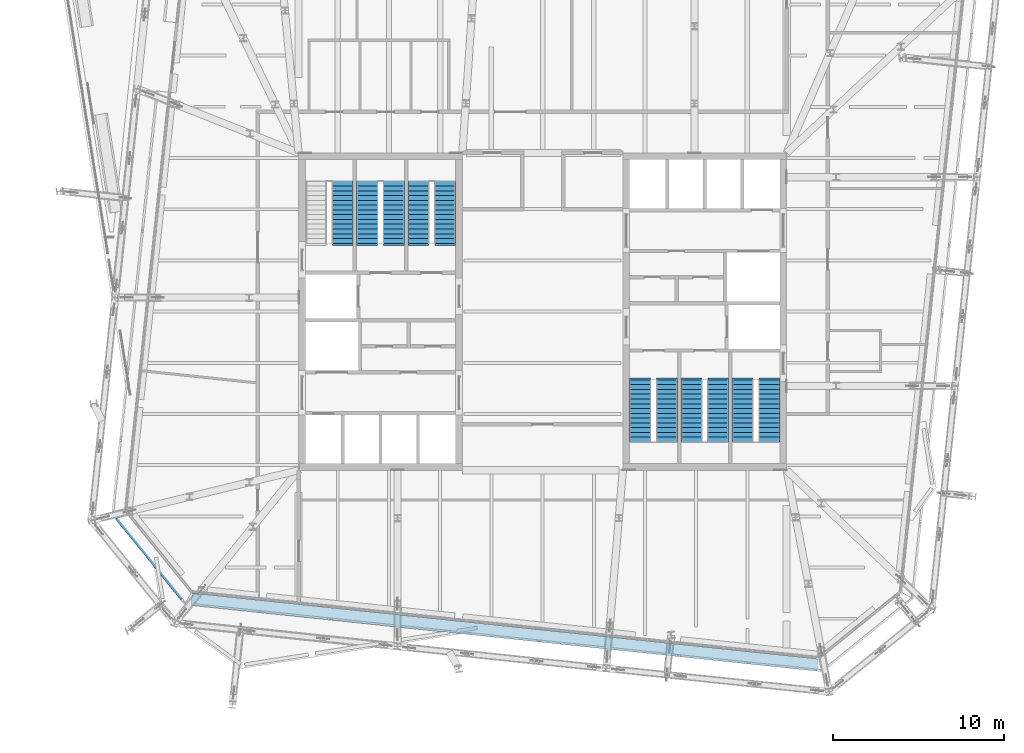
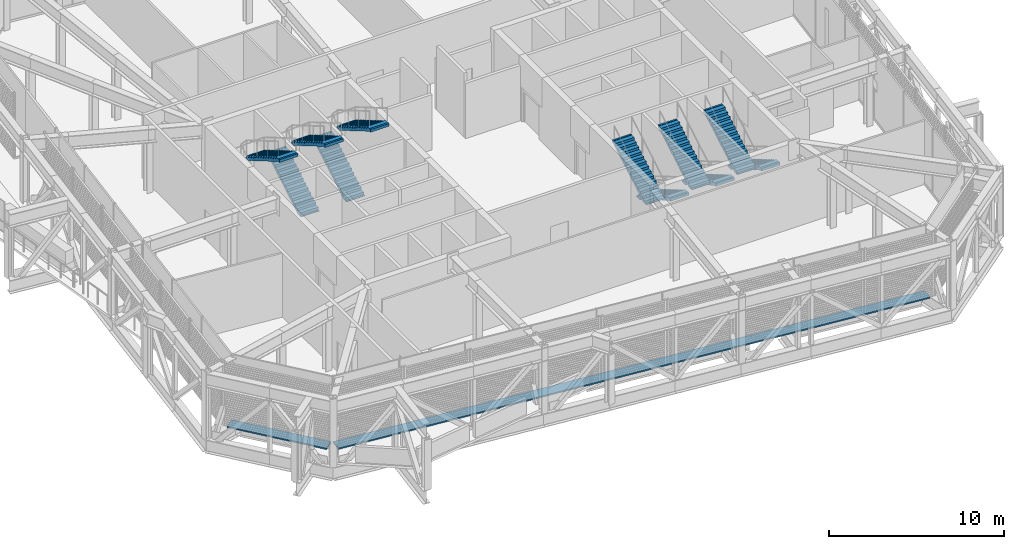
# One storey, part 24 of 36: 11 stair flights, 2 discrete accessories, 6 elements without a shape of their own.
"""IFC4 building model written with IfcOpenShell, lengths in metres."""

from ifc_helpers import new_model, si_unit, direction, frame, origin, origin_2d, place, context, subcontext, project, spatial, polyline, rectangle, outline, extrude, material, type_object, element, aggregate, save


model = new_model("IFC4")

# Units and contexts
model_context = context("Model", 3, precision=1e-05, world=origin(), true_north=direction((0.0, 1.0)))
body_context = subcontext(model_context, "Body", "Model", "MODEL_VIEW")
ifc_project = project(units=[si_unit("LENGTHUNIT", "METRE"), si_unit("AREAUNIT", "SQUARE_METRE"), si_unit("VOLUMEUNIT", "CUBIC_METRE"), si_unit("PLANEANGLEUNIT", "RADIAN"), si_unit("MASSUNIT", "GRAM", prefix="KILO")], contexts=[model_context])

# Site, building, storey
site_placement = place(None, origin())
site = spatial("IfcSite", under=ifc_project, at=site_placement, CompositionType="ELEMENT")
building_placement = place(site_placement, origin())
building = spatial("IfcBuilding", under=site, at=building_placement, Name="Millrace Tower", CompositionType="ELEMENT")
storey_placement = place(building_placement, frame((0.0, 0.0, 271.39990234375)))
storey = spatial("IfcBuildingStorey", under=building, at=storey_placement, Name="L62", CompositionType="ELEMENT", Elevation=271.39990234375)

# Stair, stair flight
ifc_material_1 = material(Name="Concrete C35", Category="concrete")
stair_type = type_object("IfcStairType", Name="Exit stair", PredefinedType="HALF_TURN_STAIR", material=ifc_material_1)
placement = place(storey_placement, origin())
stair_1 = element("IfcStair", 1, at=placement, inside=storey, type_object=stair_type, Name="Stair 1 W L62", PredefinedType="HALF_TURN_STAIR")
ifc_material_2 = material(Name="Concrete C35", Category="concrete")
stair_flight_type = type_object("IfcStairFlightType", Name="Exit stair flight", PredefinedType="STRAIGHT", material=ifc_material_2)
stair_flight_1_placement = place(storey_placement, frame((-11.7099609375, 7.639892578125, 2.300048828125), z_axis=(0.0, 0.0, 1.0), x_axis=(0.0, -1.0, 0.0)))
stair_flight_1 = element("IfcStairFlight", 2, at=stair_flight_1_placement, type_object=stair_flight_type, Name="ST12 flight 2", NumberOfRisers=14, NumberOfTreads=13, PredefinedType="STRAIGHT", RiserHeight=0.164285714, TreadLength=0.28, context=body_context, shape_type="SweptSolid", body=[
    extrude(outline(polyline([(-0.1201171875, -0.0400390625), (-0.1201171875, 0.0), (0.0, 0.0), (0.0, 0.164306640625), (0.280029296875, 0.164306640625), (0.280029296875, 0.32861328125), (0.56005859375, 0.32861328125), (0.56005859375, 0.492919921875), (0.840087890625, 0.492919921875), (0.840087890625, 0.6572265625), (1.1201171875, 0.6572265625), (1.1201171875, 0.821533203125), (1.39990234375, 0.821533203125), (1.39990234375, 0.985595703125), (1.679931640625, 0.985595703125), (1.679931640625, 1.14990234375), (1.9599609375, 1.14990234375), (1.9599609375, 1.314208984375), (2.239990234375, 1.314208984375), (2.239990234375, 1.478515625), (2.52001953125, 1.478515625), (2.52001953125, 1.642822265625), (2.800048828125, 1.642822265625), (2.800048828125, 1.80712890625), (3.080078125, 1.80712890625), (3.080078125, 1.971435546875), (3.360107421875, 1.971435546875), (3.360107421875, 2.1357421875), (3.639892578125, 2.1357421875), (3.639892578125, 2.15576171875), (3.760009765625, 2.15576171875), (3.760009765625, 1.9619140625), (3.639892578125, 1.9619140625), (0.296142578125, 0.0), (0.296142578125, -0.0400390625), (-0.1201171875, -0.0400390625)])), frame((0.0, 0.60986328125, 0.0), z_axis=(0.0, -1.0, 0.0), x_axis=(1.0, 0.0, 0.0)), (0.0, 0.0, 1.0), 1.219970703125),
])
aggregate(stair_1, [stair_flight_1])

# Stair, stair flights
stair_2 = element("IfcStair", 3, at=placement, inside=storey, type_object=stair_type, Name="Stair 2 W L62", PredefinedType="HALF_TURN_STAIR")
stair_flight_2_placement = place(storey_placement, frame((-10.2900390625, 4.0, 0.0), z_axis=(0.0, 0.0, 1.0), x_axis=(0.0, 1.0, 0.0)))
stair_flight_2 = element("IfcStairFlight", 4, at=stair_flight_2_placement, type_object=stair_flight_type, Name="ST12 flight 1", NumberOfRisers=14, NumberOfTreads=13, PredefinedType="STRAIGHT", RiserHeight=0.164285714, TreadLength=0.28, context=body_context, shape_type="SweptSolid", body=[
    extrude(outline(polyline([(-0.1201171875, -0.0400390625), (-0.1201171875, 0.0), (0.0, 0.0), (0.0, 0.164306640625), (0.280029296875, 0.164306640625), (0.280029296875, 0.32861328125), (0.56005859375, 0.32861328125), (0.56005859375, 0.492919921875), (0.840087890625, 0.492919921875), (0.840087890625, 0.6572265625), (1.1201171875, 0.6572265625), (1.1201171875, 0.821533203125), (1.39990234375, 0.821533203125), (1.39990234375, 0.985595703125), (1.679931640625, 0.985595703125), (1.679931640625, 1.14990234375), (1.9599609375, 1.14990234375), (1.9599609375, 1.314208984375), (2.239990234375, 1.314208984375), (2.239990234375, 1.478515625), (2.52001953125, 1.478515625), (2.52001953125, 1.642822265625), (2.800048828125, 1.642822265625), (2.800048828125, 1.80712890625), (3.080078125, 1.80712890625), (3.080078125, 1.971435546875), (3.360107421875, 1.971435546875), (3.360107421875, 2.1357421875), (3.639892578125, 2.1357421875), (3.639892578125, 2.15576171875), (3.760009765625, 2.15576171875), (3.760009765625, 1.9619140625), (3.639892578125, 1.9619140625), (0.296142578125, 0.0), (0.296142578125, -0.0400390625), (-0.1201171875, -0.0400390625)])), frame((0.0, 0.60986328125, 0.0), z_axis=(0.0, -1.0, 0.0), x_axis=(1.0, 0.0, 0.0)), (0.0, 0.0, 1.0), 1.219970703125),
])
stair_flight_3_placement = place(storey_placement, frame((-8.7099609375, 7.639892578125, 2.300048828125), z_axis=(0.0, 0.0, 1.0), x_axis=(0.0, -1.0, 0.0)))
stair_flight_3 = element("IfcStairFlight", 5, at=stair_flight_3_placement, type_object=stair_flight_type, Name="ST12 flight 2", NumberOfRisers=14, NumberOfTreads=13, PredefinedType="STRAIGHT", RiserHeight=0.164285714, TreadLength=0.28, context=body_context, shape_type="SweptSolid", body=[
    extrude(outline(polyline([(-0.1201171875, -0.0400390625), (-0.1201171875, 0.0), (0.0, 0.0), (0.0, 0.164306640625), (0.280029296875, 0.164306640625), (0.280029296875, 0.32861328125), (0.56005859375, 0.32861328125), (0.56005859375, 0.492919921875), (0.840087890625, 0.492919921875), (0.840087890625, 0.6572265625), (1.1201171875, 0.6572265625), (1.1201171875, 0.821533203125), (1.39990234375, 0.821533203125), (1.39990234375, 0.985595703125), (1.679931640625, 0.985595703125), (1.679931640625, 1.14990234375), (1.9599609375, 1.14990234375), (1.9599609375, 1.314208984375), (2.239990234375, 1.314208984375), (2.239990234375, 1.478515625), (2.52001953125, 1.478515625), (2.52001953125, 1.642822265625), (2.800048828125, 1.642822265625), (2.800048828125, 1.80712890625), (3.080078125, 1.80712890625), (3.080078125, 1.971435546875), (3.360107421875, 1.971435546875), (3.360107421875, 2.1357421875), (3.639892578125, 2.1357421875), (3.639892578125, 2.15576171875), (3.760009765625, 2.15576171875), (3.760009765625, 1.9619140625), (3.639892578125, 1.9619140625), (0.296142578125, 0.0), (0.296142578125, -0.0400390625), (-0.1201171875, -0.0400390625)])), frame((0.0, 0.60986328125, 0.0), z_axis=(0.0, -1.0, 0.0), x_axis=(1.0, 0.0, 0.0)), (0.0, 0.0, 1.0), 1.219970703125),
])
aggregate(stair_2, [stair_flight_2, stair_flight_3])

stair_3 = element("IfcStair", 6, at=placement, inside=storey, type_object=stair_type, Name="Stair 3 W L62", PredefinedType="HALF_TURN_STAIR")
stair_flight_4_placement = place(storey_placement, frame((-7.2900390625, 4.0, 0.0), z_axis=(0.0, 0.0, 1.0), x_axis=(0.0, 1.0, 0.0)))
stair_flight_4 = element("IfcStairFlight", 7, at=stair_flight_4_placement, type_object=stair_flight_type, Name="ST12 flight 1", NumberOfRisers=14, NumberOfTreads=13, PredefinedType="STRAIGHT", RiserHeight=0.164285714, TreadLength=0.28, context=body_context, shape_type="SweptSolid", body=[
    extrude(outline(polyline([(-0.1201171875, -0.0400390625), (-0.1201171875, 0.0), (0.0, 0.0), (0.0, 0.164306640625), (0.280029296875, 0.164306640625), (0.280029296875, 0.32861328125), (0.56005859375, 0.32861328125), (0.56005859375, 0.492919921875), (0.840087890625, 0.492919921875), (0.840087890625, 0.6572265625), (1.1201171875, 0.6572265625), (1.1201171875, 0.821533203125), (1.39990234375, 0.821533203125), (1.39990234375, 0.985595703125), (1.679931640625, 0.985595703125), (1.679931640625, 1.14990234375), (1.9599609375, 1.14990234375), (1.9599609375, 1.314208984375), (2.239990234375, 1.314208984375), (2.239990234375, 1.478515625), (2.52001953125, 1.478515625), (2.52001953125, 1.642822265625), (2.800048828125, 1.642822265625), (2.800048828125, 1.80712890625), (3.080078125, 1.80712890625), (3.080078125, 1.971435546875), (3.360107421875, 1.971435546875), (3.360107421875, 2.1357421875), (3.639892578125, 2.1357421875), (3.639892578125, 2.15576171875), (3.760009765625, 2.15576171875), (3.760009765625, 1.9619140625), (3.639892578125, 1.9619140625), (0.296142578125, 0.0), (0.296142578125, -0.0400390625), (-0.1201171875, -0.0400390625)])), frame((0.0, 0.60986328125, 0.0), z_axis=(0.0, -1.0, 0.0), x_axis=(1.0, 0.0, 0.0)), (0.0, 0.0, 1.0), 1.219970703125),
])
stair_flight_5_placement = place(storey_placement, frame((-5.7099609375, 7.639892578125, 2.300048828125), z_axis=(0.0, 0.0, 1.0), x_axis=(0.0, -1.0, 0.0)))
stair_flight_5 = element("IfcStairFlight", 8, at=stair_flight_5_placement, type_object=stair_flight_type, Name="ST12 flight 2", NumberOfRisers=14, NumberOfTreads=13, PredefinedType="STRAIGHT", RiserHeight=0.164285714, TreadLength=0.28, context=body_context, shape_type="SweptSolid", body=[
    extrude(outline(polyline([(-0.1201171875, -0.0400390625), (-0.1201171875, 0.0), (0.0, 0.0), (0.0, 0.164306640625), (0.280029296875, 0.164306640625), (0.280029296875, 0.32861328125), (0.56005859375, 0.32861328125), (0.56005859375, 0.492919921875), (0.840087890625, 0.492919921875), (0.840087890625, 0.6572265625), (1.1201171875, 0.6572265625), (1.1201171875, 0.821533203125), (1.39990234375, 0.821533203125), (1.39990234375, 0.985595703125), (1.679931640625, 0.985595703125), (1.679931640625, 1.14990234375), (1.9599609375, 1.14990234375), (1.9599609375, 1.314208984375), (2.239990234375, 1.314208984375), (2.239990234375, 1.478515625), (2.52001953125, 1.478515625), (2.52001953125, 1.642822265625), (2.800048828125, 1.642822265625), (2.800048828125, 1.80712890625), (3.080078125, 1.80712890625), (3.080078125, 1.971435546875), (3.360107421875, 1.971435546875), (3.360107421875, 2.1357421875), (3.639892578125, 2.1357421875), (3.639892578125, 2.15576171875), (3.760009765625, 2.15576171875), (3.760009765625, 1.9619140625), (3.639892578125, 1.9619140625), (0.296142578125, 0.0), (0.296142578125, -0.0400390625), (-0.1201171875, -0.0400390625)])), frame((0.0, 0.60986328125, 0.0), z_axis=(0.0, -1.0, 0.0), x_axis=(1.0, 0.0, 0.0)), (0.0, 0.0, 1.0), 1.219970703125),
])
aggregate(stair_3, [stair_flight_4, stair_flight_5])

stair_4 = element("IfcStair", 9, at=placement, inside=storey, type_object=stair_type, Name="Stair 1 E L62", PredefinedType="HALF_TURN_STAIR")
stair_flight_6_placement = place(storey_placement, frame((13.2900390625, -4.0, 0.0), z_axis=(0.0, 0.0, 1.0), x_axis=(0.0, -1.0, 0.0)))
stair_flight_6 = element("IfcStairFlight", 10, at=stair_flight_6_placement, type_object=stair_flight_type, Name="ST12 flight 1", NumberOfRisers=14, NumberOfTreads=13, PredefinedType="STRAIGHT", RiserHeight=0.164285714, TreadLength=0.28, context=body_context, shape_type="SweptSolid", body=[
    extrude(outline(polyline([(-0.1201171875, -0.0400390625), (-0.1201171875, 0.0), (0.0, 0.0), (0.0, 0.164306640625), (0.280029296875, 0.164306640625), (0.280029296875, 0.32861328125), (0.56005859375, 0.32861328125), (0.56005859375, 0.492919921875), (0.840087890625, 0.492919921875), (0.840087890625, 0.6572265625), (1.1201171875, 0.6572265625), (1.1201171875, 0.821533203125), (1.39990234375, 0.821533203125), (1.39990234375, 0.985595703125), (1.679931640625, 0.985595703125), (1.679931640625, 1.14990234375), (1.9599609375, 1.14990234375), (1.9599609375, 1.314208984375), (2.239990234375, 1.314208984375), (2.239990234375, 1.478515625), (2.52001953125, 1.478515625), (2.52001953125, 1.642822265625), (2.800048828125, 1.642822265625), (2.800048828125, 1.80712890625), (3.080078125, 1.80712890625), (3.080078125, 1.971435546875), (3.360107421875, 1.971435546875), (3.360107421875, 2.1357421875), (3.639892578125, 2.1357421875), (3.639892578125, 2.15576171875), (3.760009765625, 2.15576171875), (3.760009765625, 1.9619140625), (3.639892578125, 1.9619140625), (0.296142578125, 0.0), (0.296142578125, -0.0400390625), (-0.1201171875, -0.0400390625)])), frame((0.0, 0.60986328125, 0.0), z_axis=(0.0, -1.0, 0.0), x_axis=(1.0, 0.0, 0.0)), (0.0, 0.0, 1.0), 1.219970703125),
])
stair_flight_7_placement = place(storey_placement, frame((11.7099609375, -7.639892578125, 2.300048828125), z_axis=(0.0, 0.0, 1.0), x_axis=(0.0, 1.0, 0.0)))
stair_flight_7 = element("IfcStairFlight", 11, at=stair_flight_7_placement, type_object=stair_flight_type, Name="ST12 flight 2", NumberOfRisers=14, NumberOfTreads=13, PredefinedType="STRAIGHT", RiserHeight=0.164285714, TreadLength=0.28, context=body_context, shape_type="SweptSolid", body=[
    extrude(outline(polyline([(-0.1201171875, -0.0400390625), (-0.1201171875, 0.0), (0.0, 0.0), (0.0, 0.164306640625), (0.280029296875, 0.164306640625), (0.280029296875, 0.32861328125), (0.56005859375, 0.32861328125), (0.56005859375, 0.492919921875), (0.840087890625, 0.492919921875), (0.840087890625, 0.6572265625), (1.1201171875, 0.6572265625), (1.1201171875, 0.821533203125), (1.39990234375, 0.821533203125), (1.39990234375, 0.985595703125), (1.679931640625, 0.985595703125), (1.679931640625, 1.14990234375), (1.9599609375, 1.14990234375), (1.9599609375, 1.314208984375), (2.239990234375, 1.314208984375), (2.239990234375, 1.478515625), (2.52001953125, 1.478515625), (2.52001953125, 1.642822265625), (2.800048828125, 1.642822265625), (2.800048828125, 1.80712890625), (3.080078125, 1.80712890625), (3.080078125, 1.971435546875), (3.360107421875, 1.971435546875), (3.360107421875, 2.1357421875), (3.639892578125, 2.1357421875), (3.639892578125, 2.15576171875), (3.760009765625, 2.15576171875), (3.760009765625, 1.9619140625), (3.639892578125, 1.9619140625), (0.296142578125, 0.0), (0.296142578125, -0.0400390625), (-0.1201171875, -0.0400390625)])), frame((0.0, 0.60986328125, 0.0), z_axis=(0.0, -1.0, 0.0), x_axis=(1.0, 0.0, 0.0)), (0.0, 0.0, 1.0), 1.219970703125),
])
aggregate(stair_4, [stair_flight_6, stair_flight_7])

stair_5 = element("IfcStair", 12, at=placement, inside=storey, type_object=stair_type, Name="Stair 2 E L62", PredefinedType="HALF_TURN_STAIR")
stair_flight_8_placement = place(storey_placement, frame((10.2900390625, -4.0, 0.0), z_axis=(0.0, 0.0, 1.0), x_axis=(0.0, -1.0, 0.0)))
stair_flight_8 = element("IfcStairFlight", 13, at=stair_flight_8_placement, type_object=stair_flight_type, Name="ST12 flight 1", NumberOfRisers=14, NumberOfTreads=13, PredefinedType="STRAIGHT", RiserHeight=0.164285714, TreadLength=0.28, context=body_context, shape_type="SweptSolid", body=[
    extrude(outline(polyline([(-0.1201171875, -0.0400390625), (-0.1201171875, 0.0), (0.0, 0.0), (0.0, 0.164306640625), (0.280029296875, 0.164306640625), (0.280029296875, 0.32861328125), (0.56005859375, 0.32861328125), (0.56005859375, 0.492919921875), (0.840087890625, 0.492919921875), (0.840087890625, 0.6572265625), (1.1201171875, 0.6572265625), (1.1201171875, 0.821533203125), (1.39990234375, 0.821533203125), (1.39990234375, 0.985595703125), (1.679931640625, 0.985595703125), (1.679931640625, 1.14990234375), (1.9599609375, 1.14990234375), (1.9599609375, 1.314208984375), (2.239990234375, 1.314208984375), (2.239990234375, 1.478515625), (2.52001953125, 1.478515625), (2.52001953125, 1.642822265625), (2.800048828125, 1.642822265625), (2.800048828125, 1.80712890625), (3.080078125, 1.80712890625), (3.080078125, 1.971435546875), (3.360107421875, 1.971435546875), (3.360107421875, 2.1357421875), (3.639892578125, 2.1357421875), (3.639892578125, 2.15576171875), (3.760009765625, 2.15576171875), (3.760009765625, 1.9619140625), (3.639892578125, 1.9619140625), (0.296142578125, 0.0), (0.296142578125, -0.0400390625), (-0.1201171875, -0.0400390625)])), frame((0.0, 0.60986328125, 0.0), z_axis=(0.0, -1.0, 0.0), x_axis=(1.0, 0.0, 0.0)), (0.0, 0.0, 1.0), 1.219970703125),
])
stair_flight_9_placement = place(storey_placement, frame((8.7099609375, -7.639892578125, 2.300048828125), z_axis=(0.0, 0.0, 1.0), x_axis=(0.0, 1.0, 0.0)))
stair_flight_9 = element("IfcStairFlight", 14, at=stair_flight_9_placement, type_object=stair_flight_type, Name="ST12 flight 2", NumberOfRisers=14, NumberOfTreads=13, PredefinedType="STRAIGHT", RiserHeight=0.164285714, TreadLength=0.28, context=body_context, shape_type="SweptSolid", body=[
    extrude(outline(polyline([(-0.1201171875, -0.0400390625), (-0.1201171875, 0.0), (0.0, 0.0), (0.0, 0.164306640625), (0.280029296875, 0.164306640625), (0.280029296875, 0.32861328125), (0.56005859375, 0.32861328125), (0.56005859375, 0.492919921875), (0.840087890625, 0.492919921875), (0.840087890625, 0.6572265625), (1.1201171875, 0.6572265625), (1.1201171875, 0.821533203125), (1.39990234375, 0.821533203125), (1.39990234375, 0.985595703125), (1.679931640625, 0.985595703125), (1.679931640625, 1.14990234375), (1.9599609375, 1.14990234375), (1.9599609375, 1.314208984375), (2.239990234375, 1.314208984375), (2.239990234375, 1.478515625), (2.52001953125, 1.478515625), (2.52001953125, 1.642822265625), (2.800048828125, 1.642822265625), (2.800048828125, 1.80712890625), (3.080078125, 1.80712890625), (3.080078125, 1.971435546875), (3.360107421875, 1.971435546875), (3.360107421875, 2.1357421875), (3.639892578125, 2.1357421875), (3.639892578125, 2.15576171875), (3.760009765625, 2.15576171875), (3.760009765625, 1.9619140625), (3.639892578125, 1.9619140625), (0.296142578125, 0.0), (0.296142578125, -0.0400390625), (-0.1201171875, -0.0400390625)])), frame((0.0, 0.60986328125, 0.0), z_axis=(0.0, -1.0, 0.0), x_axis=(1.0, 0.0, 0.0)), (0.0, 0.0, 1.0), 1.219970703125),
])
aggregate(stair_5, [stair_flight_8, stair_flight_9])

stair_6 = element("IfcStair", 15, at=placement, inside=storey, type_object=stair_type, Name="Stair 3 E L62", PredefinedType="HALF_TURN_STAIR")
stair_flight_10_placement = place(storey_placement, frame((7.2900390625, -4.0, 0.0), z_axis=(0.0, 0.0, 1.0), x_axis=(0.0, -1.0, 0.0)))
stair_flight_10 = element("IfcStairFlight", 16, at=stair_flight_10_placement, type_object=stair_flight_type, Name="ST12 flight 1", NumberOfRisers=14, NumberOfTreads=13, PredefinedType="STRAIGHT", RiserHeight=0.164285714, TreadLength=0.28, context=body_context, shape_type="SweptSolid", body=[
    extrude(outline(polyline([(-0.1201171875, -0.0400390625), (-0.1201171875, 0.0), (0.0, 0.0), (0.0, 0.164306640625), (0.280029296875, 0.164306640625), (0.280029296875, 0.32861328125), (0.56005859375, 0.32861328125), (0.56005859375, 0.492919921875), (0.840087890625, 0.492919921875), (0.840087890625, 0.6572265625), (1.1201171875, 0.6572265625), (1.1201171875, 0.821533203125), (1.39990234375, 0.821533203125), (1.39990234375, 0.985595703125), (1.679931640625, 0.985595703125), (1.679931640625, 1.14990234375), (1.9599609375, 1.14990234375), (1.9599609375, 1.314208984375), (2.239990234375, 1.314208984375), (2.239990234375, 1.478515625), (2.52001953125, 1.478515625), (2.52001953125, 1.642822265625), (2.800048828125, 1.642822265625), (2.800048828125, 1.80712890625), (3.080078125, 1.80712890625), (3.080078125, 1.971435546875), (3.360107421875, 1.971435546875), (3.360107421875, 2.1357421875), (3.639892578125, 2.1357421875), (3.639892578125, 2.15576171875), (3.760009765625, 2.15576171875), (3.760009765625, 1.9619140625), (3.639892578125, 1.9619140625), (0.296142578125, 0.0), (0.296142578125, -0.0400390625), (-0.1201171875, -0.0400390625)])), frame((0.0, 0.60986328125, 0.0), z_axis=(0.0, -1.0, 0.0), x_axis=(1.0, 0.0, 0.0)), (0.0, 0.0, 1.0), 1.219970703125),
])
stair_flight_11_placement = place(storey_placement, frame((5.7099609375, -7.639892578125, 2.300048828125), z_axis=(0.0, 0.0, 1.0), x_axis=(0.0, 1.0, 0.0)))
stair_flight_11 = element("IfcStairFlight", 17, at=stair_flight_11_placement, type_object=stair_flight_type, Name="ST12 flight 2", NumberOfRisers=14, NumberOfTreads=13, PredefinedType="STRAIGHT", RiserHeight=0.164285714, TreadLength=0.28, context=body_context, shape_type="SweptSolid", body=[
    extrude(outline(polyline([(-0.1201171875, -0.0400390625), (-0.1201171875, 0.0), (0.0, 0.0), (0.0, 0.164306640625), (0.280029296875, 0.164306640625), (0.280029296875, 0.32861328125), (0.56005859375, 0.32861328125), (0.56005859375, 0.492919921875), (0.840087890625, 0.492919921875), (0.840087890625, 0.6572265625), (1.1201171875, 0.6572265625), (1.1201171875, 0.821533203125), (1.39990234375, 0.821533203125), (1.39990234375, 0.985595703125), (1.679931640625, 0.985595703125), (1.679931640625, 1.14990234375), (1.9599609375, 1.14990234375), (1.9599609375, 1.314208984375), (2.239990234375, 1.314208984375), (2.239990234375, 1.478515625), (2.52001953125, 1.478515625), (2.52001953125, 1.642822265625), (2.800048828125, 1.642822265625), (2.800048828125, 1.80712890625), (3.080078125, 1.80712890625), (3.080078125, 1.971435546875), (3.360107421875, 1.971435546875), (3.360107421875, 2.1357421875), (3.639892578125, 2.1357421875), (3.639892578125, 2.15576171875), (3.760009765625, 2.15576171875), (3.760009765625, 1.9619140625), (3.639892578125, 1.9619140625), (0.296142578125, 0.0), (0.296142578125, -0.0400390625), (-0.1201171875, -0.0400390625)])), frame((0.0, 0.60986328125, 0.0), z_axis=(0.0, -1.0, 0.0), x_axis=(1.0, 0.0, 0.0)), (0.0, 0.0, 1.0), 1.219970703125),
])
aggregate(stair_6, [stair_flight_10, stair_flight_11])

# Discrete accessories
ifc_material_3 = material(Name="Stainless steel ASTM A240 type 316", Category="steel")
discrete_accessory_type = type_object("IfcDiscreteAccessoryType", Name="Thermally broken screen support rail", PredefinedType="BRACKET", material=ifc_material_3)
discrete_accessory_1_placement = place(storey_placement, frame((-22.836669921875, -14.304931640625, 0.0), z_axis=(0.0, 0.0, 1.0), x_axis=(0.629320278945, -0.777146052237, 0.0)))
element("IfcDiscreteAccessory", 18, at=discrete_accessory_1_placement, inside=storey, type_object=discrete_accessory_type, Name="Thermally broken screen support rail E-F01 L62 1", PredefinedType="BRACKET", context=body_context, shape_type="SweptSolid", body=[
    extrude(rectangle(XDim=6.0810546875, YDim=0.719970703125, at=origin_2d()), origin(), (0.0, 0.0, 1.0), 0.10009765625),
])
discrete_accessory_2_placement = place(storey_placement, frame((-2.2314453125, -18.782470703125, 0.0), z_axis=(0.0, 0.0, 1.0), x_axis=(0.994521896217, -0.104528455196, 0.0)))
element("IfcDiscreteAccessory", 19, at=discrete_accessory_2_placement, inside=storey, type_object=discrete_accessory_type, Name="Thermally broken screen support rail E-F02 L62 1", PredefinedType="BRACKET", context=body_context, shape_type="SweptSolid", body=[
    extrude(rectangle(XDim=36.89990234375, YDim=0.719970703125, at=origin_2d()), origin(), (0.0, 0.0, 1.0), 0.10009765625),
])

save(model, "model.ifc")
